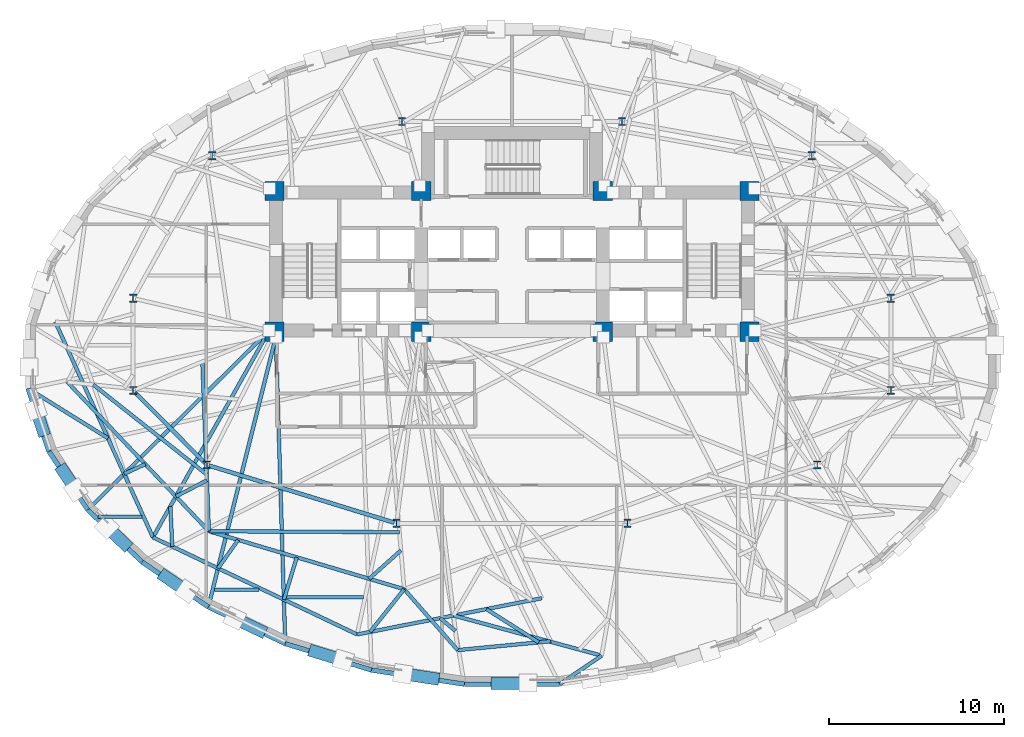
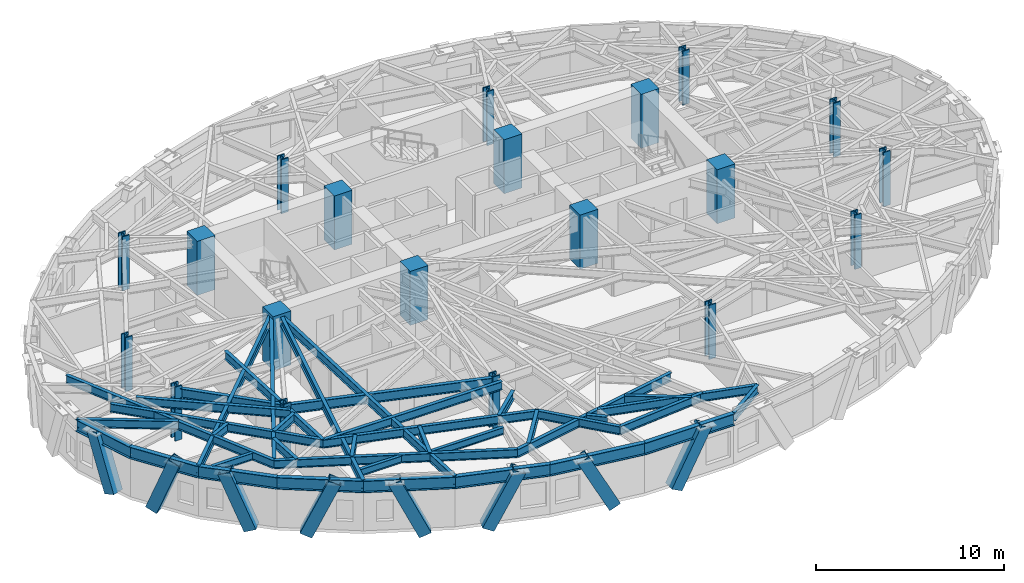
# One storey, part 1 of 14: 39 beams, 20 columns, 8 members.
"""IFC4 building model written with IfcOpenShell, lengths in metres."""

from ifc_helpers import new_model, si_unit, direction, frame, origin, origin_2d, place, context, subcontext, project, spatial, rectangle, hollow_rectangle, i_section, extrude, material, material_profile, profile_set, type_object, element, save


model = new_model("IFC4")

# Units and contexts
model_context = context("Model", 3, precision=1e-05, world=origin(), true_north=direction((0.0, 1.0)))
body_context = subcontext(model_context, "Body", "Model", "MODEL_VIEW")
ifc_project = project(units=[si_unit("LENGTHUNIT", "METRE"), si_unit("AREAUNIT", "SQUARE_METRE"), si_unit("VOLUMEUNIT", "CUBIC_METRE"), si_unit("PLANEANGLEUNIT", "RADIAN"), si_unit("MASSUNIT", "GRAM", prefix="KILO")], contexts=[model_context])

# Site, building, storey
site_placement = place(None, origin())
site = spatial("IfcSite", under=ifc_project, at=site_placement, CompositionType="ELEMENT")
building_placement = place(site_placement, origin())
building = spatial("IfcBuilding", under=site, at=building_placement, Name="Keldmark Tower", CompositionType="ELEMENT")
storey_placement = place(building_placement, frame((0.0, 0.0, 107.10009765625)))
storey = spatial("IfcBuildingStorey", under=building, at=storey_placement, Name="L28", CompositionType="ELEMENT", Elevation=107.10009765625)

# Columns
ifc_material_1 = material(Name="Concrete C70/85", Category="concrete")
ifc_material_profile_1 = material_profile(ifc_material_1, rectangle(XDim=1.10009765625, YDim=1.10009765625, at=origin_2d()), Name="RC1100X1100")
ifc_profile_set_1 = profile_set([ifc_material_profile_1], Name="Concrete C70/85")
column_type_1 = type_object("IfcColumnType", Name="Core Boundary Column RC1100", PredefinedType="COLUMN", material=ifc_profile_set_1)
for number, where, z_axis, x_axis, name in (
    (1, (-13.60009765625, 1.39990234375, 0.0), (0.0, 0.0, 1.0), (1.0, 0.0, 0.0), "L28 Core Boundary Column CC-W1"),
    (2, (-13.60009765625, 9.449951171875, 0.0), (0.0, 0.0, 1.0), (1.0, 0.0, 0.0), "L28 Core Boundary Column CC-W2"),
    (3, (-5.199951171875, 1.39990234375, 0.0), (0.0, 0.0, 1.0), (1.0, 0.0, 0.0), "L28 Core Boundary Column CC-W3"),
    (4, (-5.199951171875, 9.449951171875, 0.0), (0.0, 0.0, 1.0), (1.0, 0.0, 0.0), "L28 Core Boundary Column CC-W4"),
    (5, (5.199951171875, 1.39990234375, 0.0), (0.0, 0.0, 1.0), (1.0, 0.0, 0.0), "L28 Core Boundary Column CC-E1"),
    (6, (5.199951171875, 9.449951171875, 0.0), (0.0, 0.0, 1.0), (1.0, 0.0, 0.0), "L28 Core Boundary Column CC-E2"),
    (7, (13.60009765625, 1.39990234375, 0.0), (0.0, 0.0, 1.0), (1.0, 0.0, 0.0), "L28 Core Boundary Column CC-E3"),
    (8, (13.60009765625, 9.449951171875, 0.0), (0.0, 0.0, 1.0), (1.0, 0.0, 0.0), "L28 Core Boundary Column CC-E4"),
):
    element("IfcColumn", number, at=place(storey_placement, frame(where, z_axis=z_axis, x_axis=x_axis)), inside=storey, type_object=column_type_1, Name=name, PredefinedType="COLUMN", context=body_context, shape_type="SweptSolid", body=[
        extrude(rectangle(XDim=1.10009765625, YDim=1.10009765625, at=origin_2d()), origin(), (0.0, 0.0, 1.0), 3.5),
    ])
ifc_material_2 = material(Name="Steel ASTM A992 Grade 50", Category="steel")
ifc_material_profile_2 = material_profile(ifc_material_2, i_section(OverallWidth=0.424072265625, OverallDepth=0.47412109375, WebThickness=0.047607421875, FlangeThickness=0.0771484375, at=origin_2d()), Name="W14X426")
ifc_profile_set_2 = profile_set([ifc_material_profile_2], Name="Steel ASTM A992 Grade 50")
column_type_2 = type_object("IfcColumnType", Name="Tower Gravity Column W14X426", PredefinedType="COLUMN", material=ifc_profile_set_2)
for number, where, z_axis, x_axis, name in (
    (9, (21.697021484375, 3.309814453125, 0.0), (0.0, 0.0, 1.0), (1.0, 0.0, 0.0), "L28 Tower Gravity Column TC-E1"),
    (10, (17.1669921875, 11.478271484375, 0.0), (0.0, 0.0, 1.0), (1.0, 0.0, 0.0), "L28 Tower Gravity Column TC-E4"),
    (11, (6.298828125, 13.4326171875, 0.0), (0.0, 0.0, 1.0), (1.0, 0.0, 0.0), "L28 Tower Gravity Column TC-N2"),
    (12, (-6.298828125, 13.4326171875, 0.0), (0.0, 0.0, 1.0), (1.0, 0.0, 0.0), "L28 Tower Gravity Column TC-N1"),
    (13, (-17.1669921875, 11.478271484375, 0.0), (0.0, 0.0, 1.0), (1.0, 0.0, 0.0), "L28 Tower Gravity Column TC-W4"),
    (14, (-21.697021484375, 3.309814453125, 0.0), (0.0, 0.0, 1.0), (1.0, 0.0, 0.0), "L28 Tower Gravity Column TC-W1"),
    (15, (-21.697021484375, -1.9658203125, 0.0), (0.0, 0.0, 1.0), (1.0, 0.0, 0.0), "L28 Tower Gravity Column TC-W5"),
    (16, (-17.477294921875, -6.2294921875, 0.0), (0.0, 0.0, 1.0), (1.0, 0.0, 0.0), "L28 Tower Gravity Column TC-W2"),
    (17, (-6.61279296875, -9.579345703125, 0.0), (0.0, 0.0, 1.0), (1.0, 0.0, 0.0), "L28 Tower Gravity Column TC-W3"),
    (18, (6.61279296875, -9.579345703125, 0.0), (0.0, 0.0, 1.0), (1.0, 0.0, 0.0), "L28 Tower Gravity Column TC-E3"),
    (19, (17.477294921875, -6.2294921875, 0.0), (0.0, 0.0, 1.0), (1.0, 0.0, 0.0), "L28 Tower Gravity Column TC-E2"),
    (20, (21.697021484375, -1.9658203125, 0.0), (0.0, 0.0, 1.0), (1.0, 0.0, 0.0), "L28 Tower Gravity Column TC-E5"),
):
    element("IfcColumn", number, at=place(storey_placement, frame(where, z_axis=z_axis, x_axis=x_axis)), inside=storey, type_object=column_type_2, Name=name, PredefinedType="COLUMN", context=body_context, shape_type="SweptSolid", body=[
        extrude(i_section(OverallWidth=0.424072265625, OverallDepth=0.47412109375, WebThickness=0.047607421875, FlangeThickness=0.0771484375, at=origin_2d()), origin(), (0.0, 0.0, 1.0), 3.5),
    ])

# Beams
ifc_material_3 = material(Name="Steel ASTM A992 Grade 50", Category="steel")
ifc_material_profile_3 = material_profile(ifc_material_3, i_section(OverallWidth=0.19091796875, OverallDepth=0.45703125, WebThickness=0.009033203125, FlangeThickness=0.014404296875, at=origin_2d()), Name="W18X50")
ifc_profile_set_3 = profile_set([ifc_material_profile_3], Name="Steel ASTM A992 Grade 50")
beam_type_1 = type_object("IfcBeamType", Name="Composite Floor Joist W18X50", PredefinedType="JOIST", material=ifc_profile_set_3)
beam_1_placement = place(storey_placement, frame((-17.044677734375, -13.3798828125, 3.081298828125), z_axis=(1.0, 0.0, 0.0), x_axis=(0.0, 1.0, 0.0)))
element("IfcBeam", 21, at=beam_1_placement, inside=storey, type_object=beam_type_1, Name="L28 Composite Floor Joist J01", PredefinedType="JOIST", context=body_context, shape_type="SweptSolid", body=[
    extrude(i_section(OverallWidth=0.19091796875, OverallDepth=0.45703125, WebThickness=0.009033203125, FlangeThickness=0.014404296875, at=origin_2d()), origin(), (0.0, 0.0, 1.0), 2.5625),
])
beam_2_placement = place(storey_placement, frame((-12.91748046875, -13.800048828125, 3.081298828125), z_axis=(1.0, 0.0, 0.0), x_axis=(0.0, 1.0, 0.0)))
element("IfcBeam", 22, at=beam_2_placement, inside=storey, type_object=beam_type_1, Name="L28 Composite Floor Joist J02", PredefinedType="JOIST", context=body_context, shape_type="SweptSolid", body=[
    extrude(i_section(OverallWidth=0.19091796875, OverallDepth=0.45703125, WebThickness=0.009033203125, FlangeThickness=0.014404296875, at=origin_2d()), origin(), (0.0, 0.0, 1.0), 4.411376953125),
])
beam_3_placement = place(storey_placement, frame((-23.697265625, -9.199951171875, 3.081298828125), z_axis=(1.0, 0.0, 0.0), x_axis=(0.0, 1.0, 0.0)))
element("IfcBeam", 23, at=beam_3_placement, inside=storey, type_object=beam_type_1, Name="L28 Composite Floor Joist J03", PredefinedType="JOIST", context=body_context, shape_type="SweptSolid", body=[
    extrude(i_section(OverallWidth=0.19091796875, OverallDepth=0.45703125, WebThickness=0.009033203125, FlangeThickness=0.014404296875, at=origin_2d()), origin(), (0.0, 0.0, 1.0), 2.493896484375),
])

# Members
ifc_material_4 = material(Name="Steel ASTM A572 Grade 50", Category="steel")
ifc_material_profile_4 = material_profile(ifc_material_4, hollow_rectangle(XDim=0.699951171875, YDim=0.699951171875, WallThickness=0.044921875, at=origin_2d()), Name="BOX700X700X45")
ifc_profile_set_4 = profile_set([ifc_material_profile_4], Name="Steel ASTM A572 Grade 50")
member_type = type_object("IfcMemberType", Name="Diagrid Zone 2 Brace BOX700X700X45", PredefinedType="BRACE", material=ifc_profile_set_4)
member_1_placement = place(storey_placement, frame((-26.860595703125, -4.2470703125, -0.27001953125), z_axis=(-0.107952872963, 0.326045509503, 0.939170113958), x_axis=(-0.94931811266, -0.314316911692, 0.0)))
element("IfcMember", 24, at=member_1_placement, inside=storey, type_object=member_type, Name="L28 Perimeter Diagrid Brace 09A", PredefinedType="BRACE", context=body_context, shape_type="SweptSolid", body=[
    extrude(hollow_rectangle(XDim=0.699951171875, YDim=0.699951171875, WallThickness=0.044921875, at=origin_2d()), origin(), (0.0, 0.0, 1.0), 3.68408203125),
])
member_2_placement = place(storey_placement, frame((-25.721923828125, -6.552734375, -0.27001953125), z_axis=(0.200274121955, -0.300805941385, 0.932419466604), x_axis=(0.832386255563, 0.554195923433, 0.0)))
element("IfcMember", 25, at=member_2_placement, inside=storey, type_object=member_type, Name="L28 Perimeter Diagrid Brace 09B", PredefinedType="BRACE", context=body_context, shape_type="SweptSolid", body=[
    extrude(hollow_rectangle(XDim=0.699951171875, YDim=0.699951171875, WallThickness=0.044921875, at=origin_2d()), origin(), (0.0, 0.0, 1.0), 3.710693359375),
])
member_3_placement = place(storey_placement, frame((-22.171142578125, -10.764892578125, -0.27001953125), z_axis=(-0.276144933571, 0.265716991779, 0.923654944199), x_axis=(-0.693370375166, -0.720581378362, 0.0)))
element("IfcMember", 26, at=member_3_placement, inside=storey, type_object=member_type, Name="L28 Perimeter Diagrid Brace 10A", PredefinedType="BRACE", context=body_context, shape_type="SweptSolid", body=[
    extrude(hollow_rectangle(XDim=0.699951171875, YDim=0.699951171875, WallThickness=0.044921875, at=origin_2d()), origin(), (0.0, 0.0, 1.0), 3.745849609375),
])
member_4_placement = place(storey_placement, frame((-19.876708984375, -12.60888671875, -0.27001953125), z_axis=(0.33479314782, -0.226959811273, 0.914550595779), x_axis=(0.56112680855, 0.827729850088, 0.0)))
element("IfcMember", 27, at=member_4_placement, inside=storey, type_object=member_type, Name="L28 Perimeter Diagrid Brace 10B", PredefinedType="BRACE", context=body_context, shape_type="SweptSolid", body=[
    extrude(hollow_rectangle(XDim=0.699951171875, YDim=0.699951171875, WallThickness=0.044921875, at=origin_2d()), origin(), (0.0, 0.0, 1.0), 3.783203125),
])
member_5_placement = place(storey_placement, frame((-14.4150390625, -15.720458984375, -0.27001953125), z_axis=(-0.384014962148, 0.183387258279, 0.904931832984), x_axis=(-0.430935108563, -0.902382918836, 0.0)))
element("IfcMember", 28, at=member_5_placement, inside=storey, type_object=member_type, Name="L28 Perimeter Diagrid Brace 11A", PredefinedType="BRACE", context=body_context, shape_type="SweptSolid", body=[
    extrude(hollow_rectangle(XDim=0.699951171875, YDim=0.699951171875, WallThickness=0.044921875, at=origin_2d()), origin(), (0.0, 0.0, 1.0), 3.823486328125),
])
member_6_placement = place(storey_placement, frame((-11.31005859375, -16.9189453125, -0.27001953125), z_axis=(0.4259762555, -0.130389291317, 0.895289261893), x_axis=(0.292690457434, 0.956207245385, 0.0)))
element("IfcMember", 29, at=member_6_placement, inside=storey, type_object=member_type, Name="L28 Perimeter Diagrid Brace 11B", PredefinedType="BRACE", context=body_context, shape_type="SweptSolid", body=[
    extrude(hollow_rectangle(XDim=0.699951171875, YDim=0.699951171875, WallThickness=0.044921875, at=origin_2d()), origin(), (0.0, 0.0, 1.0), 3.86474609375),
])
member_7_placement = place(storey_placement, frame((-4.484375, -18.46142578125, -0.27001953125), z_axis=(-0.454742835075, 0.069170031679, 0.887932689265), x_axis=(-0.150378326098, -0.98862852429, 0.0)))
element("IfcMember", 30, at=member_7_placement, inside=storey, type_object=member_type, Name="L28 Perimeter Diagrid Brace 12A", PredefinedType="BRACE", context=body_context, shape_type="SweptSolid", body=[
    extrude(hollow_rectangle(XDim=0.699951171875, YDim=0.699951171875, WallThickness=0.044921875, at=origin_2d()), origin(), (0.0, 0.0, 1.0), 3.896728515625),
])
member_8_placement = place(storey_placement, frame((-0.904052734375, -18.728759765625, -0.27001953125), z_axis=(0.465504471346, 0.0, 0.885045528296), x_axis=(0.0, 1.0, 0.0)))
element("IfcMember", 31, at=member_8_placement, inside=storey, type_object=member_type, Name="L28 Perimeter Diagrid Brace 12B", PredefinedType="BRACE", context=body_context, shape_type="SweptSolid", body=[
    extrude(hollow_rectangle(XDim=0.699951171875, YDim=0.699951171875, WallThickness=0.044921875, at=origin_2d()), origin(), (0.0, 0.0, 1.0), 3.909423828125),
])

# Beams
ifc_material_5 = material(Name="Steel ASTM A992 Grade 50", Category="steel")
ifc_material_profile_5 = material_profile(ifc_material_5, i_section(OverallWidth=0.22900390625, OverallDepth=0.612060546875, WebThickness=0.011962890625, FlangeThickness=0.01953125, at=origin_2d()), Name="W24X84")
ifc_profile_set_5 = profile_set([ifc_material_profile_5], Name="Steel ASTM A992 Grade 50")
beam_type_2 = type_object("IfcBeamType", Name="Primary Floor Girder W24X84", PredefinedType="BEAM", material=ifc_profile_set_5)
beam_4_placement = place(storey_placement, frame((-21.598388671875, -2.0654296875, 3.00390625), z_axis=(0.703425791323, -0.71076870788, 0.0), x_axis=(0.71076870788, 0.703425791323, 0.0)))
element("IfcBeam", 32, at=beam_4_placement, inside=storey, type_object=beam_type_2, Name="L28 Floor Ring Girder FG-R07", PredefinedType="BEAM", context=body_context, shape_type="SweptSolid", body=[
    extrude(i_section(OverallWidth=0.22900390625, OverallDepth=0.612060546875, WebThickness=0.011962890625, FlangeThickness=0.01953125, at=origin_2d()), origin(), (0.0, 0.0, 1.0), 5.71875),
])
beam_5_placement = place(storey_placement, frame((-17.343505859375, -6.270751953125, 3.00390625), z_axis=(0.955607954968, -0.294641199432, 0.0), x_axis=(0.294641199432, 0.955607954968, 0.0)))
element("IfcBeam", 33, at=beam_5_placement, inside=storey, type_object=beam_type_2, Name="L28 Floor Ring Girder FG-R08", PredefinedType="BEAM", context=body_context, shape_type="SweptSolid", body=[
    extrude(i_section(OverallWidth=0.22900390625, OverallDepth=0.612060546875, WebThickness=0.011962890625, FlangeThickness=0.01953125, at=origin_2d()), origin(), (0.0, 0.0, 1.0), 11.089111328125),
])
ifc_material_6 = material(Name="Steel ASTM A992 Grade 50", Category="steel")
ifc_material_profile_6 = material_profile(ifc_material_6, i_section(OverallWidth=0.2099609375, OverallDepth=0.537109375, WebThickness=0.010986328125, FlangeThickness=0.017333984375, at=origin_2d()), Name="W21X68")
ifc_profile_set_6 = profile_set([ifc_material_profile_6], Name="Steel ASTM A992 Grade 50")
beam_type_3 = type_object("IfcBeamType", Name="Radial Tie Girder W21X68", PredefinedType="BEAM", material=ifc_profile_set_6)
beam_6_placement = place(storey_placement, frame((-23.97900390625, -1.637939453125, 3.04150390625), z_axis=(0.78414802779, -0.62057382358, 0.0), x_axis=(0.62057382358, 0.78414802779, 0.0)))
element("IfcBeam", 34, at=beam_6_placement, inside=storey, type_object=beam_type_3, Name="L28 Framing Pin Header PH-005", PredefinedType="BEAM", context=body_context, shape_type="SweptSolid", body=[
    extrude(i_section(OverallWidth=0.2099609375, OverallDepth=0.537109375, WebThickness=0.010986328125, FlangeThickness=0.017333984375, at=origin_2d()), origin(), (0.0, 0.0, 1.0), 8.281982421875),
])
beam_7_placement = place(storey_placement, frame((-17.7314453125, -0.3173828125, 3.04150390625), z_axis=(0.038214090549, -0.999269574881, 0.0), x_axis=(0.999269574881, 0.038214090549, 0.0)))
element("IfcBeam", 35, at=beam_7_placement, inside=storey, type_object=beam_type_3, Name="L28 Sub-Ring Step Girder STP1-M08", PredefinedType="BEAM", context=body_context, shape_type="SweptSolid", body=[
    extrude(i_section(OverallWidth=0.2099609375, OverallDepth=0.537109375, WebThickness=0.010986328125, FlangeThickness=0.017333984375, at=origin_2d()), origin(), (0.0, 0.0, 1.0), 9.71728515625),
])
beam_8_placement = place(storey_placement, frame((-17.360107421875, -10.027587890625, 3.04150390625), z_axis=(0.999986059239, -0.005280277218, 0.0), x_axis=(0.005280277218, 0.999986059239, 0.0)))
element("IfcBeam", 36, at=beam_8_placement, inside=storey, type_object=beam_type_3, Name="L28 Framing Pin Header PH-006", PredefinedType="BEAM", context=body_context, shape_type="SweptSolid", body=[
    extrude(i_section(OverallWidth=0.2099609375, OverallDepth=0.537109375, WebThickness=0.010986328125, FlangeThickness=0.017333984375, at=origin_2d()), origin(), (0.0, 0.0, 1.0), 10.911865234375),
])
beam_9_placement = place(storey_placement, frame((-25.46142578125, -1.48681640625, 3.04150390625), z_axis=(0.688194938593, -0.725525827586, 0.0), x_axis=(0.725525827586, 0.688194938593, 0.0)))
element("IfcBeam", 37, at=beam_9_placement, inside=storey, type_object=beam_type_3, Name="L28 Perimeter Collector Ring Beam CRG1-M07", PredefinedType="BEAM", context=body_context, shape_type="SweptSolid", body=[
    extrude(i_section(OverallWidth=0.2099609375, OverallDepth=0.537109375, WebThickness=0.010986328125, FlangeThickness=0.017333984375, at=origin_2d()), origin(), (0.0, 0.0, 1.0), 11.771728515625),
])
beam_10_placement = place(storey_placement, frame((-17.360107421875, -10.027587890625, 3.04150390625), z_axis=(0.958614481786, -0.284707350293, 0.0), x_axis=(0.284707350293, 0.958614481786, 0.0)))
element("IfcBeam", 38, at=beam_10_placement, inside=storey, type_object=beam_type_3, Name="L28 Perimeter Collector Ring Beam CRG1-M08", PredefinedType="BEAM", context=body_context, shape_type="SweptSolid", body=[
    extrude(i_section(OverallWidth=0.2099609375, OverallDepth=0.537109375, WebThickness=0.010986328125, FlangeThickness=0.017333984375, at=origin_2d()), origin(), (0.0, 0.0, 1.0), 11.668212890625),
])
beam_11_placement = place(storey_placement, frame((-17.4716796875, -7.114501953125, 3.04150390625), z_axis=(-0.887240764754, -0.461306650027, 0.0), x_axis=(0.461306650027, -0.887240764754, 0.0)))
element("IfcBeam", 39, at=beam_11_placement, inside=storey, type_object=beam_type_3, Name="L28 Framing Pin Header PH-011", PredefinedType="BEAM", context=body_context, shape_type="SweptSolid", body=[
    extrude(i_section(OverallWidth=0.2099609375, OverallDepth=0.537109375, WebThickness=0.010986328125, FlangeThickness=0.017333984375, at=origin_2d()), origin(), (0.0, 0.0, 1.0), 2.00146484375),
])
beam_12_placement = place(storey_placement, frame((-13.89990234375, 1.47509765625, 3.04150390625), z_axis=(-0.490020847503, -0.871710714063, 0.0), x_axis=(0.871710714063, -0.490020847503, 0.0)))
element("IfcBeam", 40, at=beam_12_placement, inside=storey, type_object=beam_type_3, Name="L28 Sub-Ring Step Girder STP2-M08", PredefinedType="BEAM", context=body_context, shape_type="SweptSolid", body=[
    extrude(i_section(OverallWidth=0.2099609375, OverallDepth=0.537109375, WebThickness=0.010986328125, FlangeThickness=0.017333984375, at=origin_2d()), origin(), (0.0, 0.0, 1.0), 13.5986328125),
])
beam_13_placement = place(storey_placement, frame((-6.361328125, -11.1259765625, 3.04150390625), z_axis=(-0.745675120469, -0.666309698799, 0.0), x_axis=(0.666309698799, -0.745675120469, 0.0)))
element("IfcBeam", 41, at=beam_13_placement, inside=storey, type_object=beam_type_3, Name="L28 Framing Pin Header PH-012", PredefinedType="BEAM", context=body_context, shape_type="SweptSolid", body=[
    extrude(i_section(OverallWidth=0.2099609375, OverallDepth=0.537109375, WebThickness=0.010986328125, FlangeThickness=0.017333984375, at=origin_2d()), origin(), (0.0, 0.0, 1.0), 2.4423828125),
])
beam_14_placement = place(storey_placement, frame((-26.153076171875, 1.956787109375, 3.04150390625), z_axis=(0.412729676036, -0.910853563708, 0.0), x_axis=(0.910853563708, 0.412729676036, 0.0)))
element("IfcBeam", 42, at=beam_14_placement, inside=storey, type_object=beam_type_3, Name="L28 Perimeter Collector Ring Beam CRG2-M07", PredefinedType="BEAM", context=body_context, shape_type="SweptSolid", body=[
    extrude(i_section(OverallWidth=0.2099609375, OverallDepth=0.537109375, WebThickness=0.010986328125, FlangeThickness=0.017333984375, at=origin_2d()), origin(), (0.0, 0.0, 1.0), 13.54296875),
])
beam_15_placement = place(storey_placement, frame((-20.5634765625, -10.37890625, 3.04150390625), z_axis=(0.903101524263, -0.429427103097, 0.0), x_axis=(0.429427103097, 0.903101524263, 0.0)))
element("IfcBeam", 43, at=beam_15_placement, inside=storey, type_object=beam_type_3, Name="L28 Perimeter Collector Ring Beam CRG2-M08", PredefinedType="BEAM", context=body_context, shape_type="SweptSolid", body=[
    extrude(i_section(OverallWidth=0.2099609375, OverallDepth=0.537109375, WebThickness=0.010986328125, FlangeThickness=0.017333984375, at=origin_2d()), origin(), (0.0, 0.0, 1.0), 12.949951171875),
])
beam_16_placement = place(storey_placement, frame((-8.868408203125, -15.93994140625, 3.04150390625), z_axis=(0.98130074481, 0.192480773677, 0.0), x_axis=(-0.192480773677, 0.98130074481, 0.0)))
element("IfcBeam", 44, at=beam_16_placement, inside=storey, type_object=beam_type_3, Name="L28 Perimeter Collector Ring Beam CRG2-M09", PredefinedType="BEAM", context=body_context, shape_type="SweptSolid", body=[
    extrude(i_section(OverallWidth=0.2099609375, OverallDepth=0.537109375, WebThickness=0.010986328125, FlangeThickness=0.017333984375, at=origin_2d()), origin(), (0.0, 0.0, 1.0), 10.77490234375),
])
beam_17_placement = place(storey_placement, frame((-27.7158203125, -1.8505859375, 3.04150390625), z_axis=(0.848744482282, -0.528803180584, 0.0), x_axis=(0.528803180584, 0.848744482282, 0.0)))
element("IfcBeam", 45, at=beam_17_placement, inside=storey, type_object=beam_type_3, Name="L28 Framing Pin Header PH-026", PredefinedType="BEAM", context=body_context, shape_type="SweptSolid", body=[
    extrude(i_section(OverallWidth=0.2099609375, OverallDepth=0.537109375, WebThickness=0.010986328125, FlangeThickness=0.017333984375, at=origin_2d()), origin(), (0.0, 0.0, 1.0), 5.39794921875),
])
beam_18_placement = place(storey_placement, frame((-21.005615234375, -6.18408203125, 3.04150390625), z_axis=(-0.907059096304, -0.421003320428, 0.0), x_axis=(0.421003320428, -0.907059096304, 0.0)))
element("IfcBeam", 46, at=beam_18_placement, inside=storey, type_object=beam_type_3, Name="L28 Framing Pin Header PH-027", PredefinedType="BEAM", context=body_context, shape_type="SweptSolid", body=[
    extrude(i_section(OverallWidth=0.2099609375, OverallDepth=0.537109375, WebThickness=0.010986328125, FlangeThickness=0.017333984375, at=origin_2d()), origin(), (0.0, 0.0, 1.0), 1.32861328125),
])
beam_19_placement = place(storey_placement, frame((-13.89990234375, 1.47509765625, 3.04150390625), z_axis=(-0.711046002609, -0.703145491469, 0.0), x_axis=(0.703145491469, -0.711046002609, 0.0)))
element("IfcBeam", 47, at=beam_19_placement, inside=storey, type_object=beam_type_3, Name="L28 Perimeter Radial Tie Girder RT-19", PredefinedType="BEAM", context=body_context, shape_type="SweptSolid", body=[
    extrude(i_section(OverallWidth=0.2099609375, OverallDepth=0.537109375, WebThickness=0.010986328125, FlangeThickness=0.017333984375, at=origin_2d()), origin(), (0.0, 0.0, 1.0), 14.61669921875),
])
beam_20_placement = place(storey_placement, frame((-19.56396484375, -8.6005859375, 3.04150390625), z_axis=(0.046458943525, -0.9989202003, 0.0), x_axis=(0.9989202003, 0.046458943525, 0.0)))
element("IfcBeam", 48, at=beam_20_placement, inside=storey, type_object=beam_type_3, Name="L28 Framing Pin Header PH-028", PredefinedType="BEAM", context=body_context, shape_type="SweptSolid", body=[
    extrude(i_section(OverallWidth=0.2099609375, OverallDepth=0.537109375, WebThickness=0.010986328125, FlangeThickness=0.017333984375, at=origin_2d()), origin(), (0.0, 0.0, 1.0), 2.306884765625),
])
beam_21_placement = place(storey_placement, frame((-15.682373046875, -10.52587890625, 3.04150390625), z_axis=(-0.579104315433, -0.815253452521, 0.0), x_axis=(0.815253452521, -0.579104315433, 0.0)))
element("IfcBeam", 49, at=beam_21_placement, inside=storey, type_object=beam_type_3, Name="L28 Framing Pin Header PH-029", PredefinedType="BEAM", context=body_context, shape_type="SweptSolid", body=[
    extrude(i_section(OverallWidth=0.2099609375, OverallDepth=0.537109375, WebThickness=0.010986328125, FlangeThickness=0.017333984375, at=origin_2d()), origin(), (0.0, 0.0, 1.0), 1.9931640625),
])
beam_22_placement = place(storey_placement, frame((-13.52490234375, 1.10009765625, 3.04150390625), z_axis=(-0.242470755884, -0.970158715129, 0.0), x_axis=(0.970158715129, -0.242470755884, 0.0)))
element("IfcBeam", 50, at=beam_22_placement, inside=storey, type_object=beam_type_3, Name="L28 Perimeter Radial Tie Girder RT-21", PredefinedType="BEAM", context=body_context, shape_type="SweptSolid", body=[
    extrude(i_section(OverallWidth=0.2099609375, OverallDepth=0.537109375, WebThickness=0.010986328125, FlangeThickness=0.017333984375, at=origin_2d()), origin(), (0.0, 0.0, 1.0), 15.93994140625),
])
beam_23_placement = place(storey_placement, frame((-12.326904296875, -11.5224609375, 3.04150390625), z_axis=(-0.290459536612, -0.956887275279, 0.0), x_axis=(0.956887275279, -0.290459536612, 0.0)))
element("IfcBeam", 51, at=beam_23_placement, inside=storey, type_object=beam_type_3, Name="L28 Framing Pin Header PH-030", PredefinedType="BEAM", context=body_context, shape_type="SweptSolid", body=[
    extrude(i_section(OverallWidth=0.2099609375, OverallDepth=0.537109375, WebThickness=0.010986328125, FlangeThickness=0.017333984375, at=origin_2d()), origin(), (0.0, 0.0, 1.0), 2.532470703125),
])
beam_24_placement = place(storey_placement, frame((-13.52490234375, 1.10009765625, 3.04150390625), z_axis=(0.030725213616, -0.99952786917, 0.0), x_axis=(0.99952786917, 0.030725213616, 0.0)))
element("IfcBeam", 52, at=beam_24_placement, inside=storey, type_object=beam_type_3, Name="L28 Perimeter Radial Tie Girder RT-22", PredefinedType="BEAM", context=body_context, shape_type="SweptSolid", body=[
    extrude(i_section(OverallWidth=0.2099609375, OverallDepth=0.537109375, WebThickness=0.010986328125, FlangeThickness=0.017333984375, at=origin_2d()), origin(), (0.0, 0.0, 1.0), 17.576416015625),
])
beam_25_placement = place(storey_placement, frame((-6.1748046875, -13.349609375, 3.04150390625), z_axis=(-0.622920581585, -0.782285081692, 0.0), x_axis=(0.782285081692, -0.622920581585, 0.0)))
element("IfcBeam", 53, at=beam_25_placement, inside=storey, type_object=beam_type_3, Name="L28 Framing Pin Header PH-031", PredefinedType="BEAM", context=body_context, shape_type="SweptSolid", body=[
    extrude(i_section(OverallWidth=0.2099609375, OverallDepth=0.537109375, WebThickness=0.010986328125, FlangeThickness=0.017333984375, at=origin_2d()), origin(), (0.0, 0.0, 1.0), 3.123779296875),
])
beam_26_placement = place(storey_placement, frame((-6.1748046875, -13.349609375, 3.04150390625), z_axis=(0.659803346611, -0.751438316697, 0.0), x_axis=(0.751438316697, 0.659803346611, 0.0)))
element("IfcBeam", 54, at=beam_26_placement, inside=storey, type_object=beam_type_3, Name="L28 Local Collector Chord RT-24C", PredefinedType="BEAM", context=body_context, shape_type="SweptSolid", body=[
    extrude(i_section(OverallWidth=0.2099609375, OverallDepth=0.537109375, WebThickness=0.010986328125, FlangeThickness=0.017333984375, at=origin_2d()), origin(), (0.0, 0.0, 1.0), 4.64111328125),
])
beam_27_placement = place(storey_placement, frame((-4.1103515625, -15.006591796875, 3.04150390625), z_axis=(0.765908092283, -0.642950071293, 0.0), x_axis=(0.642950071293, 0.765908092283, 0.0)))
element("IfcBeam", 55, at=beam_27_placement, inside=storey, type_object=beam_type_3, Name="L28 Framing Pin Header PH-033", PredefinedType="BEAM", context=body_context, shape_type="SweptSolid", body=[
    extrude(i_section(OverallWidth=0.2099609375, OverallDepth=0.537109375, WebThickness=0.010986328125, FlangeThickness=0.017333984375, at=origin_2d()), origin(), (0.0, 0.0, 1.0), 1.1357421875),
])
beam_28_placement = place(storey_placement, frame((-3.112548828125, -16.837158203125, 3.04150390625), z_axis=(0.995452951304, 0.095254510342, 0.0), x_axis=(-0.095254510342, 0.995452951304, 0.0)))
element("IfcBeam", 56, at=beam_28_placement, inside=storey, type_object=beam_type_3, Name="L28 Local Collector Chord RT-25C", PredefinedType="BEAM", context=body_context, shape_type="SweptSolid", body=[
    extrude(i_section(OverallWidth=0.2099609375, OverallDepth=0.537109375, WebThickness=0.010986328125, FlangeThickness=0.017333984375, at=origin_2d()), origin(), (0.0, 0.0, 1.0), 5.354248046875),
])
beam_29_placement = place(storey_placement, frame((-1.467041015625, -14.488037109375, 3.04150390625), z_axis=(0.843972742046, -0.53638606496, 0.0), x_axis=(0.53638606496, 0.843972742046, 0.0)))
element("IfcBeam", 57, at=beam_29_placement, inside=storey, type_object=beam_type_3, Name="L28 Framing Pin Header PH-035", PredefinedType="BEAM", context=body_context, shape_type="SweptSolid", body=[
    extrude(i_section(OverallWidth=0.2099609375, OverallDepth=0.537109375, WebThickness=0.010986328125, FlangeThickness=0.017333984375, at=origin_2d()), origin(), (0.0, 0.0, 1.0), 3.551025390625),
])
beam_30_placement = place(storey_placement, frame((-3.343017578125, -14.856201171875, 3.04150390625), z_axis=(0.965171392467, -0.261618392248, 0.0), x_axis=(0.261618392248, 0.965171392467, 0.0)))
element("IfcBeam", 58, at=beam_30_placement, inside=storey, type_object=beam_type_3, Name="L28 Intermediate Radial Step Girder RT-26M", PredefinedType="BEAM", context=body_context, shape_type="SweptSolid", body=[
    extrude(i_section(OverallWidth=0.2099609375, OverallDepth=0.537109375, WebThickness=0.010986328125, FlangeThickness=0.017333984375, at=origin_2d()), origin(), (0.0, 0.0, 1.0), 8.780517578125),
])
beam_31_placement = place(storey_placement, frame((2.729736328125, -18.788330078125, 3.04150390625), z_axis=(0.826646650538, 0.562721347698, 0.0), x_axis=(-0.562721347698, 0.826646650538, 0.0)))
element("IfcBeam", 59, at=beam_31_placement, inside=storey, type_object=beam_type_3, Name="L28 Local Collector Chord RT-26C", PredefinedType="BEAM", context=body_context, shape_type="SweptSolid", body=[
    extrude(i_section(OverallWidth=0.2099609375, OverallDepth=0.537109375, WebThickness=0.010986328125, FlangeThickness=0.017333984375, at=origin_2d()), origin(), (0.0, 0.0, 1.0), 2.905517578125),
])
ifc_material_7 = material(Name="Steel ASTM A992 Grade 50", Category="steel")
ifc_material_profile_7 = material_profile(ifc_material_7, i_section(OverallWidth=0.26806640625, OverallDepth=0.77001953125, WebThickness=0.015625, FlangeThickness=0.025390625, at=origin_2d()), Name="W30X132")
ifc_profile_set_7 = profile_set([ifc_material_profile_7], Name="Steel ASTM A992 Grade 50")
beam_type_4 = type_object("IfcBeamType", Name="Spandrel Ring Beam W30X132", PredefinedType="SPANDREL", material=ifc_profile_set_7)
beam_32_placement = place(storey_placement, frame((-27.7158203125, -1.8505859375, 2.9248046875), z_axis=(0.314316911692, -0.94931811266, 0.0), x_axis=(0.94931811266, 0.314316911692, 0.0)))
element("IfcBeam", 60, at=beam_32_placement, inside=storey, type_object=beam_type_4, Name="L28 Perimeter Spandrel Ring Beam SRB-17", PredefinedType="SPANDREL", context=body_context, shape_type="SweptSolid", body=[
    extrude(i_section(OverallWidth=0.26806640625, OverallDepth=0.77001953125, WebThickness=0.015625, FlangeThickness=0.025390625, at=origin_2d()), origin(), (0.0, 0.0, 1.0), 3.7958984375),
])
beam_33_placement = place(storey_placement, frame((-26.522705078125, -5.4541015625, 2.9248046875), z_axis=(0.554265966169, -0.832339617432, 0.0), x_axis=(0.832339617432, 0.554265966169, 0.0)))
element("IfcBeam", 61, at=beam_33_placement, inside=storey, type_object=beam_type_4, Name="L28 Perimeter Spandrel Ring Beam SRB-18", PredefinedType="SPANDREL", context=body_context, shape_type="SweptSolid", body=[
    extrude(i_section(OverallWidth=0.26806640625, OverallDepth=0.77001953125, WebThickness=0.015625, FlangeThickness=0.025390625, at=origin_2d()), origin(), (0.0, 0.0, 1.0), 4.02294921875),
])
beam_34_placement = place(storey_placement, frame((-24.29296875, -8.802490234375, 2.9248046875), z_axis=(0.720581378362, -0.693370375166, 0.0), x_axis=(0.693370375166, 0.720581378362, 0.0)))
element("IfcBeam", 62, at=beam_34_placement, inside=storey, type_object=beam_type_4, Name="L28 Perimeter Spandrel Ring Beam SRB-19", PredefinedType="SPANDREL", context=body_context, shape_type="SweptSolid", body=[
    extrude(i_section(OverallWidth=0.26806640625, OverallDepth=0.77001953125, WebThickness=0.015625, FlangeThickness=0.025390625, at=origin_2d()), origin(), (0.0, 0.0, 1.0), 4.306640625),
])
beam_35_placement = place(storey_placement, frame((-21.189697265625, -11.78857421875, 2.9248046875), z_axis=(0.827754551165, -0.56109036975, 0.0), x_axis=(0.56109036975, 0.827754551165, 0.0)))
element("IfcBeam", 63, at=beam_35_placement, inside=storey, type_object=beam_type_4, Name="L28 Perimeter Spandrel Ring Beam SRB-20", PredefinedType="SPANDREL", context=body_context, shape_type="SweptSolid", body=[
    extrude(i_section(OverallWidth=0.26806640625, OverallDepth=0.77001953125, WebThickness=0.015625, FlangeThickness=0.025390625, at=origin_2d()), origin(), (0.0, 0.0, 1.0), 4.590576171875),
])
beam_36_placement = place(storey_placement, frame((-17.389892578125, -14.3642578125, 2.9248046875), z_axis=(0.902372757907, -0.430956385018, 0.0), x_axis=(0.430956385018, 0.902372757907, 0.0)))
element("IfcBeam", 64, at=beam_36_placement, inside=storey, type_object=beam_type_4, Name="L28 Perimeter Spandrel Ring Beam SRB-21", PredefinedType="SPANDREL", context=body_context, shape_type="SweptSolid", body=[
    extrude(i_section(OverallWidth=0.26806640625, OverallDepth=0.77001953125, WebThickness=0.015625, FlangeThickness=0.025390625, at=origin_2d()), origin(), (0.0, 0.0, 1.0), 4.881591796875),
])
beam_37_placement = place(storey_placement, frame((-12.98486328125, -16.468017578125, 2.9248046875), z_axis=(0.956228569431, -0.292620783617, 0.0), x_axis=(0.292620783617, 0.956228569431, 0.0)))
element("IfcBeam", 65, at=beam_37_placement, inside=storey, type_object=beam_type_4, Name="L28 Perimeter Spandrel Ring Beam SRB-22", PredefinedType="SPANDREL", context=body_context, shape_type="SweptSolid", body=[
    extrude(i_section(OverallWidth=0.26806640625, OverallDepth=0.77001953125, WebThickness=0.015625, FlangeThickness=0.025390625, at=origin_2d()), origin(), (0.0, 0.0, 1.0), 5.165283203125),
])
beam_38_placement = place(storey_placement, frame((-8.045654296875, -17.9794921875, 2.9248046875), z_axis=(0.988621773192, -0.150422702975, 0.0), x_axis=(0.150422702975, 0.988621773192, 0.0)))
element("IfcBeam", 66, at=beam_38_placement, inside=storey, type_object=beam_type_4, Name="L28 Perimeter Spandrel Ring Beam SRB-23", PredefinedType="SPANDREL", context=body_context, shape_type="SweptSolid", body=[
    extrude(i_section(OverallWidth=0.26806640625, OverallDepth=0.77001953125, WebThickness=0.015625, FlangeThickness=0.025390625, at=origin_2d()), origin(), (0.0, 0.0, 1.0), 5.377197265625),
])
beam_39_placement = place(storey_placement, frame((-2.729736328125, -18.788330078125, 2.9248046875), z_axis=(1.0, 0.0, 0.0), x_axis=(0.0, 1.0, 0.0)))
element("IfcBeam", 67, at=beam_39_placement, inside=storey, type_object=beam_type_4, Name="L28 Perimeter Spandrel Ring Beam SRB-24", PredefinedType="SPANDREL", context=body_context, shape_type="SweptSolid", body=[
    extrude(i_section(OverallWidth=0.26806640625, OverallDepth=0.77001953125, WebThickness=0.015625, FlangeThickness=0.025390625, at=origin_2d()), origin(), (0.0, 0.0, 1.0), 5.45947265625),
])

save(model, "model.ifc")
